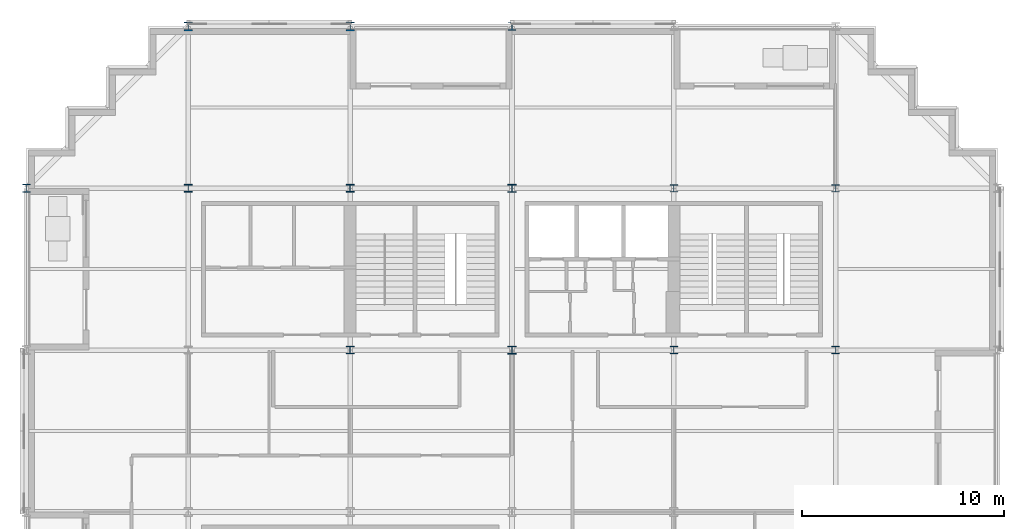
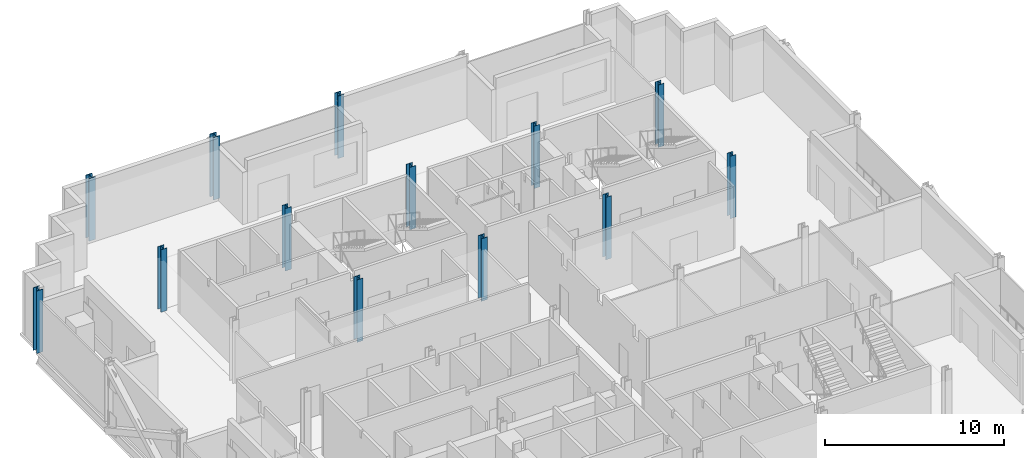
# One storey, part 2 of 15: 13 columns.
"""IFC4 building model written with IfcOpenShell, lengths in metres."""

from ifc_helpers import new_model, si_unit, direction, frame, origin, origin_2d, place, context, subcontext, project, spatial, i_section, extrude, material, material_profile, profile_set, type_object, element, save


model = new_model("IFC4")

# Units and contexts
model_context = context("Model", 3, precision=1e-05, world=origin(), true_north=direction((0.0, 1.0)))
body_context = subcontext(model_context, "Body", "Model", "MODEL_VIEW")
ifc_project = project(units=[si_unit("LENGTHUNIT", "METRE"), si_unit("AREAUNIT", "SQUARE_METRE"), si_unit("VOLUMEUNIT", "CUBIC_METRE"), si_unit("PLANEANGLEUNIT", "RADIAN"), si_unit("MASSUNIT", "GRAM", prefix="KILO")], contexts=[model_context])

# Site, building, storey
site_placement = place(None, origin())
site = spatial("IfcSite", under=ifc_project, at=site_placement, CompositionType="ELEMENT")
building_placement = place(site_placement, origin())
building = spatial("IfcBuilding", under=site, at=building_placement, Name="Immortelle Media Tower", CompositionType="ELEMENT")
storey_placement = place(building_placement, frame((0.0, 0.0, 78.800048828125)))
storey = spatial("IfcBuildingStorey", under=building, at=storey_placement, Name="L14", CompositionType="ELEMENT", Elevation=78.800048828125)

# Columns
ifc_material = material(Name="Steel ASTM A992 Gr 50", Category="steel")
ifc_material_profile_1 = material_profile(ifc_material, i_section(OverallWidth=0.39404296875, OverallDepth=0.3759765625, WebThickness=0.01708984375, FlangeThickness=0.028076171875, at=origin_2d()), Name="W14x145")
ifc_profile_set_1 = profile_set([ifc_material_profile_1], Name="Steel ASTM A992 Gr 50")
column_type_1 = type_object("IfcColumnType", Name="W14x145 column", PredefinedType="COLUMN", material=ifc_profile_set_1)
for number, where, z_axis, x_axis, name in (
    (1, (8.0, 40.0, 0.0), (0.0, 0.0, 1.0), (1.0, 0.0, 0.0), "Column 2/F"),
    (2, (16.0, 32.0, 0.0), (0.0, 0.0, 1.0), (1.0, 0.0, 0.0), "Column 3/E"),
    (3, (16.0, 40.0, 0.0), (0.0, 0.0, 1.0), (1.0, 0.0, 0.0), "Column 3/F"),
):
    element("IfcColumn", number, at=place(storey_placement, frame(where, z_axis=z_axis, x_axis=x_axis)), inside=storey, type_object=column_type_1, Name=name, PredefinedType="COLUMN", context=body_context, shape_type="SweptSolid", body=[
        extrude(i_section(OverallWidth=0.39404296875, OverallDepth=0.3759765625, WebThickness=0.01708984375, FlangeThickness=0.028076171875, at=origin_2d()), origin(), (0.0, 0.0, 1.0), 4.25),
    ])
ifc_material_profile_2 = material_profile(ifc_material, i_section(OverallWidth=0.39892578125, OverallDepth=0.385986328125, WebThickness=0.02099609375, FlangeThickness=0.032958984375, at=origin_2d()), Name="W14x176")
ifc_profile_set_2 = profile_set([ifc_material_profile_2], Name="Steel ASTM A992 Gr 50")
column_type_2 = type_object("IfcColumnType", Name="W14x176 column", PredefinedType="COLUMN", material=ifc_profile_set_2)
for number, where, z_axis, x_axis, name in (
    (4, (24.0, 32.0, 0.0), (0.0, 0.0, 1.0), (1.0, 0.0, 0.0), "Column 4/E"),
    (5, (24.0, 40.0, 0.0), (0.0, 0.0, 1.0), (1.0, 0.0, 0.0), "Column 4/F"),
):
    element("IfcColumn", number, at=place(storey_placement, frame(where, z_axis=z_axis, x_axis=x_axis)), inside=storey, type_object=column_type_2, Name=name, PredefinedType="COLUMN", context=body_context, shape_type="SweptSolid", body=[
        extrude(i_section(OverallWidth=0.39892578125, OverallDepth=0.385986328125, WebThickness=0.02099609375, FlangeThickness=0.032958984375, at=origin_2d()), origin(), (0.0, 0.0, 1.0), 4.25),
    ])
ifc_material_profile_3 = material_profile(ifc_material, i_section(OverallWidth=0.40087890625, OverallDepth=0.39892578125, WebThickness=0.02490234375, FlangeThickness=0.0400390625, at=origin_2d()), Name="W14x211")
ifc_profile_set_3 = profile_set([ifc_material_profile_3], Name="Steel ASTM A992 Gr 50")
column_type_3 = type_object("IfcColumnType", Name="W14x211 column", PredefinedType="COLUMN", material=ifc_profile_set_3)
for number, where, z_axis, x_axis, name in (
    (6, (0.0, 40.0, 0.0), (0.0, 0.0, 1.0), (1.0, 0.0, 0.0), "Column 1/F"),
    (7, (24.0, 48.0, 0.0), (0.0, 0.0, 1.0), (1.0, 0.0, 0.0), "Column 4/G"),
):
    element("IfcColumn", number, at=place(storey_placement, frame(where, z_axis=z_axis, x_axis=x_axis)), inside=storey, type_object=column_type_3, Name=name, PredefinedType="COLUMN", context=body_context, shape_type="SweptSolid", body=[
        extrude(i_section(OverallWidth=0.40087890625, OverallDepth=0.39892578125, WebThickness=0.02490234375, FlangeThickness=0.0400390625, at=origin_2d()), origin(), (0.0, 0.0, 1.0), 4.25),
    ])
ifc_material_profile_4 = material_profile(ifc_material, i_section(OverallWidth=0.410888671875, OverallDepth=0.43408203125, WebThickness=0.035888671875, FlangeThickness=0.056884765625, at=origin_2d()), Name="W14x311")
ifc_profile_set_4 = profile_set([ifc_material_profile_4], Name="Steel ASTM A992 Gr 50")
column_type_4 = type_object("IfcColumnType", Name="W14x311 column", PredefinedType="COLUMN", material=ifc_profile_set_4)
for number, where, z_axis, x_axis, name in (
    (8, (8.0, 48.0, 0.0), (0.0, 0.0, 1.0), (1.0, 0.0, 0.0), "Column 2/G"),
    (9, (16.0, 48.0, 0.0), (0.0, 0.0, 1.0), (1.0, 0.0, 0.0), "Column 3/G"),
):
    element("IfcColumn", number, at=place(storey_placement, frame(where, z_axis=z_axis, x_axis=x_axis)), inside=storey, type_object=column_type_4, Name=name, PredefinedType="COLUMN", context=body_context, shape_type="SweptSolid", body=[
        extrude(i_section(OverallWidth=0.410888671875, OverallDepth=0.43408203125, WebThickness=0.035888671875, FlangeThickness=0.056884765625, at=origin_2d()), origin(), (0.0, 0.0, 1.0), 4.25),
    ])
ifc_material_profile_5 = material_profile(ifc_material, i_section(OverallWidth=0.37109375, OverallDepth=0.361083984375, WebThickness=0.011962890625, FlangeThickness=0.02001953125, at=origin_2d()), Name="W14x99")
ifc_profile_set_5 = profile_set([ifc_material_profile_5], Name="Steel ASTM A992 Gr 50")
column_type_5 = type_object("IfcColumnType", Name="W14x99 column", PredefinedType="COLUMN", material=ifc_profile_set_5)
for number, where, z_axis, x_axis, name in (
    (10, (32.0, 32.0, 0.0), (0.0, 0.0, 1.0), (1.0, 0.0, 0.0), "Column 5/E"),
    (11, (32.0, 40.0, 0.0), (0.0, 0.0, 1.0), (1.0, 0.0, 0.0), "Column 5/F"),
    (12, (40.0, 32.0, 0.0), (0.0, 0.0, 1.0), (1.0, 0.0, 0.0), "Column 6/E"),
    (13, (40.0, 40.0, 0.0), (0.0, 0.0, 1.0), (1.0, 0.0, 0.0), "Column 6/F"),
):
    element("IfcColumn", number, at=place(storey_placement, frame(where, z_axis=z_axis, x_axis=x_axis)), inside=storey, type_object=column_type_5, Name=name, PredefinedType="COLUMN", context=body_context, shape_type="SweptSolid", body=[
        extrude(i_section(OverallWidth=0.37109375, OverallDepth=0.361083984375, WebThickness=0.011962890625, FlangeThickness=0.02001953125, at=origin_2d()), origin(), (0.0, 0.0, 1.0), 4.25),
    ])

save(model, "model.ifc")
